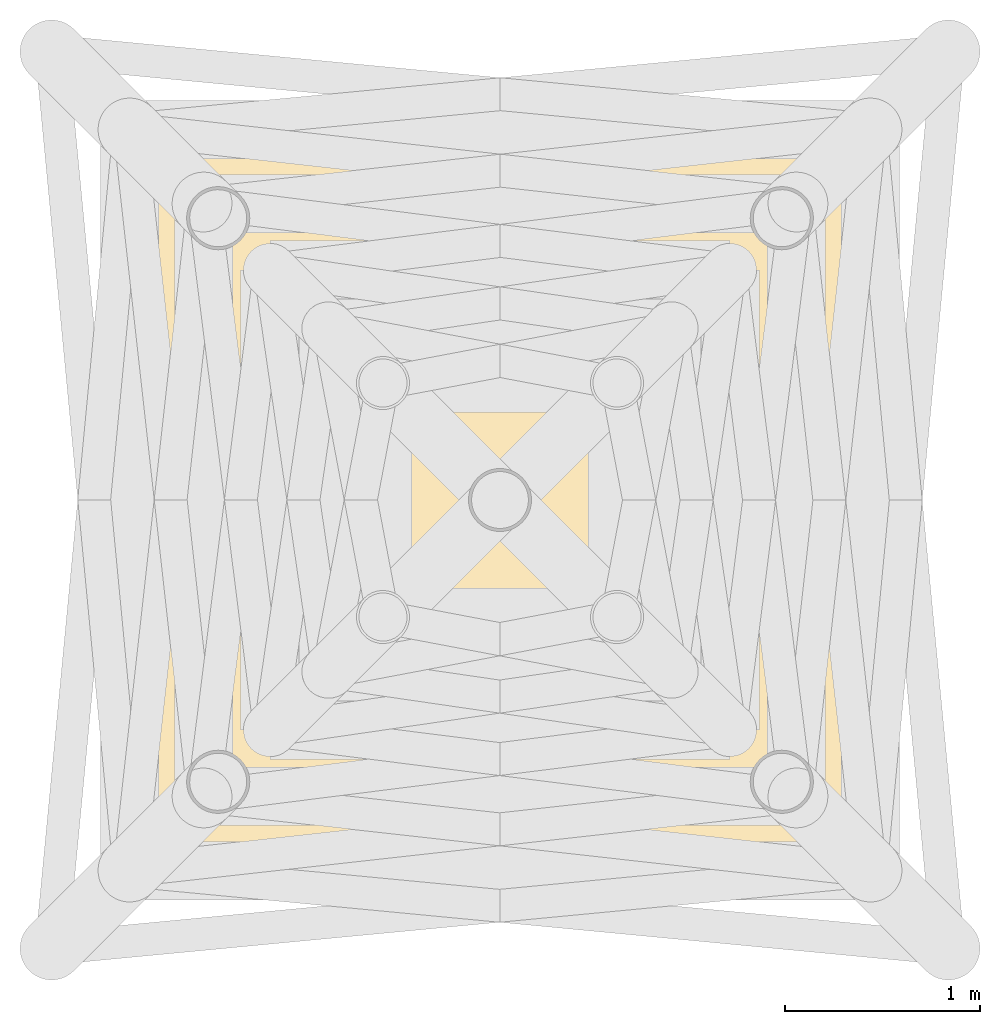
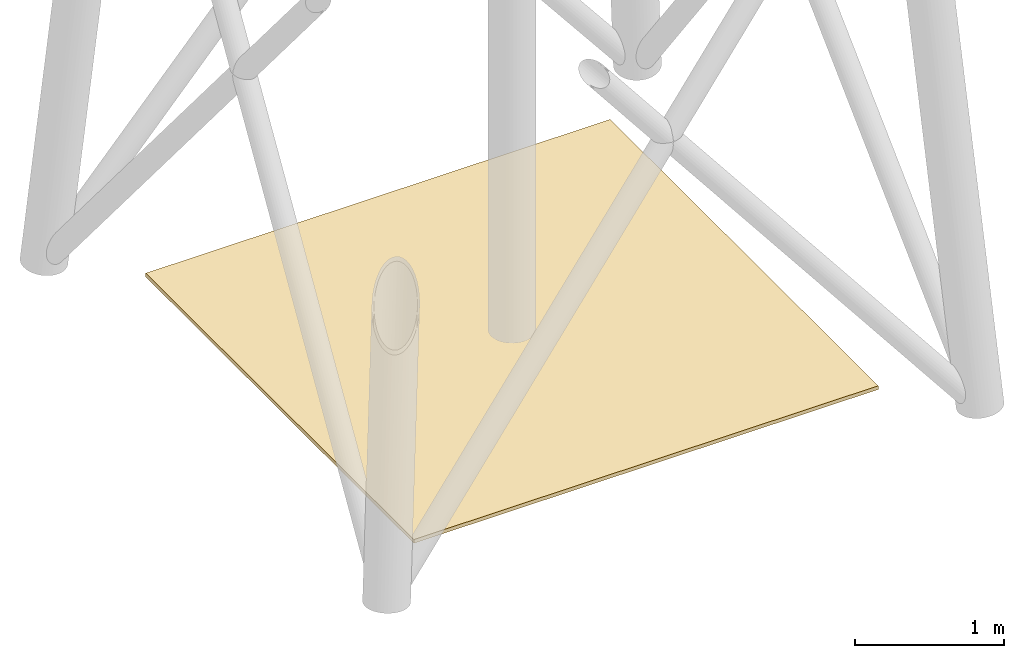
# One storey, part 2 of 2: 1 covering.
"""IFC4 building model written with IfcOpenShell, lengths in metres."""

from ifc_helpers import new_model, si_unit, direction, frame, origin, place, context, subcontext, project, spatial, polyline, outline, extrude, material, layer, layer_set, type_object, element, save


model = new_model("IFC4")

# Units and contexts
model_context = context("Model", 3, precision=1e-05, world=origin(), true_north=direction((0.0, 1.0)))
body_context = subcontext(model_context, "Body", "Model", "MODEL_VIEW")
ifc_project = project(units=[si_unit("LENGTHUNIT", "METRE"), si_unit("AREAUNIT", "SQUARE_METRE"), si_unit("VOLUMEUNIT", "CUBIC_METRE"), si_unit("PLANEANGLEUNIT", "RADIAN"), si_unit("MASSUNIT", "GRAM", prefix="KILO")], contexts=[model_context])

# Site, building, storey
site_placement = place(None, origin())
site = spatial("IfcSite", under=ifc_project, at=site_placement, CompositionType="ELEMENT")
building_placement = place(site_placement, origin())
building = spatial("IfcBuilding", under=site, at=building_placement, Name="Nuhasar Tower", CompositionType="ELEMENT")
storey_placement = place(building_placement, frame((0.0, 0.0, 325.89990234375)))
storey = spatial("IfcBuildingStorey", under=building, at=storey_placement, Name="Roof Mast", CompositionType="ELEMENT", Elevation=325.89990234375)

# Covering
ifc_material = material(Name="EPDM Membrane", Category="bitumen")
ifc_layer = layer(ifc_material, 0.030029296875)
ifc_layer_set = layer_set([ifc_layer], Name="EPDM Membrane")
covering_type = type_object("IfcCoveringType", Name="COV-ROOF-MEM30", PredefinedType="ROOFING", material=ifc_layer_set)
covering_placement = place(storey_placement, origin())
element("IfcCovering", 1, at=covering_placement, inside=storey, type_object=covering_type, Name="Roof Mast Waterproofing Roof Membrane Strip 06", PredefinedType="ROOFING", context=body_context, shape_type="SweptSolid", body=[
    extrude(outline(polyline([(37.199951171875, 25.0), (40.800048828125, 25.0), (40.800048828125, 28.60009765625), (37.199951171875, 28.60009765625), (37.199951171875, 25.0)])), origin(), (0.0, 0.0, 1.0), 0.030029296875),
])

save(model, "model.ifc")
